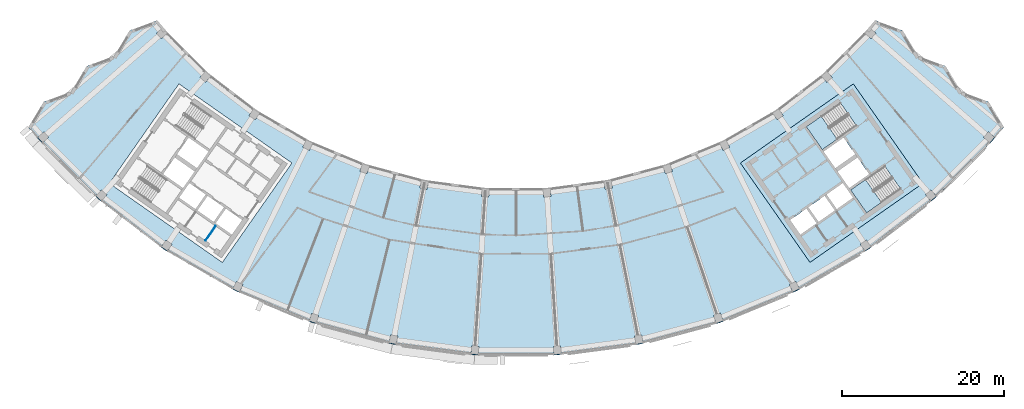
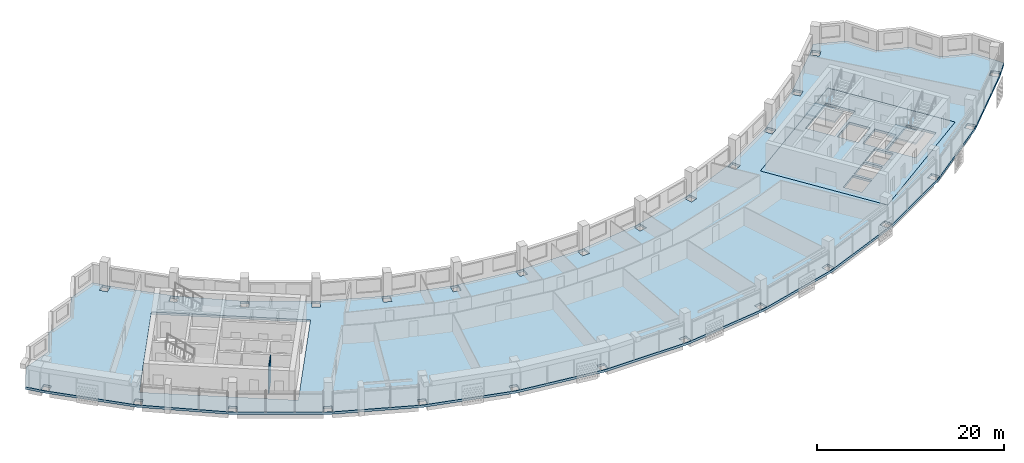
# One storey, part 2 of 28: 4 slabs, 1 wall, 2 elements without a shape of their own.
"""IFC4 building model written with IfcOpenShell, lengths in metres."""

from ifc_helpers import new_model, si_unit, direction, frame, frame_2d, origin, place, context, subcontext, project, spatial, polyline, rectangle, outline, extrude, material, layer, layer_set, type_object, element, aggregate, save


model = new_model("IFC4")

# Units and contexts
model_context = context("Model", 3, precision=1e-05, world=origin(), true_north=direction((0.0, 1.0)))
body_context = subcontext(model_context, "Body", "Model", "MODEL_VIEW")
ifc_project = project(units=[si_unit("LENGTHUNIT", "METRE"), si_unit("AREAUNIT", "SQUARE_METRE"), si_unit("VOLUMEUNIT", "CUBIC_METRE"), si_unit("PLANEANGLEUNIT", "RADIAN"), si_unit("MASSUNIT", "GRAM", prefix="KILO")], contexts=[model_context])

# Site, building, storey
site_placement = place(None, origin())
site = spatial("IfcSite", under=ifc_project, at=site_placement, CompositionType="ELEMENT")
building_placement = place(site_placement, origin())
building = spatial("IfcBuilding", under=site, at=building_placement, Name="Qamariyya Broadcast Tower", CompositionType="ELEMENT")
storey_placement = place(building_placement, frame((0.0, 0.0, 269.5)))
storey = spatial("IfcBuildingStorey", under=building, at=storey_placement, Name="L65", CompositionType="ELEMENT", Elevation=269.5)

# Slabs
ifc_material_1 = material(Name="Concrete C40/50", Category="concrete")
ifc_layer_1 = layer(ifc_material_1, 0.300048828125)
ifc_layer_set_1 = layer_set([ifc_layer_1], Name="Core floor slab 300 mm Concrete C40/50")
slab_type_1 = type_object("IfcSlabType", Name="Core floor slab 300 mm Concrete C40/50", PredefinedType="FLOOR", material=ifc_layer_set_1)
slab_1_placement = place(storey_placement, frame((0.0, 0.0, -0.300048828125)))
element("IfcSlab", 1, at=slab_1_placement, inside=storey, type_object=slab_type_1, Name="k-E-L65-slab", PredefinedType="FLOOR", context=body_context, shape_type="SweptSolid", body=[
    extrude(outline(polyline([(36.32373046875, -66.734375), (50.286376953125, -56.95751953125), (41.6826171875, -44.67041015625), (27.719970703125, -54.447021484375), (36.32373046875, -66.734375)]), holes=[polyline([(33.87353515625, -61.49169921875), (35.88037109375, -60.08642578125), (37.142333984375, -61.888427734375), (35.13525390625, -63.293701171875), (33.87353515625, -61.49169921875)]), polyline([(36.126220703125, -59.914306640625), (38.133056640625, -58.509033203125), (39.394775390625, -60.311279296875), (37.387939453125, -61.716552734375), (36.126220703125, -59.914306640625)]), polyline([(38.378662109375, -58.3369140625), (40.3857421875, -56.931640625), (41.6474609375, -58.73388671875), (39.640625, -60.13916015625), (38.378662109375, -58.3369140625)]), polyline([(39.742431640625, -55.489990234375), (42.199951171875, -53.769287109375), (43.6337890625, -55.817138671875), (41.17626953125, -57.537841796875), (39.742431640625, -55.489990234375)]), polyline([(39.45556640625, -55.080322265625), (41.9130859375, -53.359619140625), (40.47900390625, -51.311767578125), (38.021728515625, -53.032470703125), (39.45556640625, -55.080322265625)]), polyline([(40.082275390625, -47.01171875), (35.870849609375, -49.960693359375), (37.849609375, -52.78662109375), (42.06103515625, -49.837890625), (40.082275390625, -47.01171875)]), polyline([(45.559814453125, -54.834716796875), (41.348388671875, -57.783447265625), (43.3271484375, -60.609619140625), (47.538818359375, -57.66064453125), (45.559814453125, -54.834716796875)])]), origin(), (0.0, 0.0, 1.0), 0.300048828125),
])
ifc_layer_2 = layer(ifc_material_1, 0.300048828125)
ifc_layer_set_2 = layer_set([ifc_layer_2], Name="Post-tensioned floor slab 300 C40/50")
slab_type_2 = type_object("IfcSlabType", Name="Post-tensioned floor slab 300 C40/50", PredefinedType="FLOOR", material=ifc_layer_set_2)
slab_2_placement = place(storey_placement, frame((0.0, 0.0, -0.300048828125)))
element("IfcSlab", 2, at=slab_2_placement, inside=storey, type_object=slab_type_2, Name="Floor slab S4 L65", PredefinedType="FLOOR", context=body_context, shape_type="SweptSolid", body=[
    extrude(outline(polyline([(-58.410888671875, -46.884521484375), (-60.307861328125, -50.016845703125), (-58.90673828125, -51.65966796875), (-51.65966796875, -58.90673828125), (-43.52880859375, -65.145751953125), (-34.6533203125, -70.27001953125), (-25.184814453125, -74.19189453125), (-15.285400390625, -76.844482421875), (-5.124267578125, -78.18212890625), (5.124267578125, -78.18212890625), (15.285400390625, -76.844482421875), (25.184814453125, -74.19189453125), (34.6533203125, -70.27001953125), (43.52880859375, -65.145751953125), (51.65966796875, -58.90673828125), (58.90673828125, -51.65966796875), (60.307861328125, -50.016845703125), (58.410888671875, -46.884521484375), (54.996826171875, -45.612060546875), (53.09912109375, -42.479248046875), (49.685791015625, -41.207275390625), (47.787109375, -38.07373046875), (44.37451171875, -36.802490234375), (43.343505859375, -38.01123046875), (38.01123046875, -43.343505859375), (32.028564453125, -47.934326171875), (25.498046875, -51.704833984375), (18.531005859375, -54.590576171875), (11.2470703125, -56.542236328125), (3.7705078125, -57.526611328125), (-3.7705078125, -57.526611328125), (-11.2470703125, -56.542236328125), (-18.531005859375, -54.590576171875), (-25.498046875, -51.704833984375), (-32.028564453125, -47.934326171875), (-38.01123046875, -43.343505859375), (-43.343505859375, -38.01123046875), (-44.37451171875, -36.802490234375), (-47.787109375, -38.07373046875), (-49.685791015625, -41.207275390625), (-53.09912109375, -42.479248046875), (-54.996826171875, -45.612060546875), (-58.410888671875, -46.884521484375)]), holes=[polyline([(-4.668701171875, -78.11181640625), (-5.56689453125, -78.052978515625), (-5.50146484375, -77.05517578125), (-4.603271484375, -77.114013671875), (-4.668701171875, -78.11181640625)]), polyline([(-15.707275390625, -76.65869140625), (-15.511962890625, -75.677978515625), (-14.62939453125, -75.853515625), (-14.824462890625, -76.834228515625), (-15.707275390625, -76.65869140625)]), polyline([(-25.578857421875, -73.95263671875), (-25.25732421875, -73.005615234375), (-24.405029296875, -73.294921875), (-24.7265625, -74.241943359375), (-25.578857421875, -73.95263671875)]), polyline([(-35.0126953125, -69.981201171875), (-34.5703125, -69.08447265625), (-33.76318359375, -69.482421875), (-34.20556640625, -70.37939453125), (-35.0126953125, -69.981201171875)]), polyline([(-43.847412109375, -64.8125), (-43.2919921875, -63.98095703125), (-42.543701171875, -64.48095703125), (-43.09912109375, -65.3125), (-43.847412109375, -64.8125)]), polyline([(-51.93212890625, -58.53466796875), (-51.272705078125, -57.782958984375), (-50.59619140625, -58.376220703125), (-51.25537109375, -59.128173828125), (-51.93212890625, -58.53466796875)]), polyline([(-4.29150390625, -58.5947265625), (-4.22607421875, -57.596923828125), (-3.327880859375, -57.65576171875), (-3.393310546875, -58.653564453125), (-4.29150390625, -58.5947265625)]), polyline([(-11.90283203125, -57.533447265625), (-11.707763671875, -56.552490234375), (-10.8251953125, -56.72802734375), (-11.020263671875, -57.708984375), (-11.90283203125, -57.533447265625)]), polyline([(-50.286376953125, -56.95751953125), (-41.6826171875, -44.67041015625), (-27.719970703125, -54.447021484375), (-36.32373046875, -66.734375), (-50.286376953125, -56.95751953125)]), polyline([(-19.310791015625, -55.487548828125), (-18.9892578125, -54.54052734375), (-18.136962890625, -54.829833984375), (-18.45849609375, -55.77685546875), (-19.310791015625, -55.487548828125)]), polyline([(-26.387939453125, -52.4921875), (-25.94580078125, -51.595458984375), (-25.138671875, -51.993408203125), (-25.580810546875, -52.890380859375), (-26.387939453125, -52.4921875)]), polyline([(-59.128173828125, -51.25537109375), (-58.376220703125, -50.59619140625), (-57.782958984375, -51.272705078125), (-58.53466796875, -51.93212890625), (-59.128173828125, -51.25537109375)]), polyline([(-33.013916015625, -48.598876953125), (-32.458251953125, -47.767333984375), (-31.7099609375, -48.267333984375), (-32.265625, -49.098876953125), (-33.013916015625, -48.598876953125)]), polyline([(-39.074951171875, -43.873779296875), (-38.41552734375, -43.1220703125), (-37.739013671875, -43.71533203125), (-38.398193359375, -44.46728515625), (-39.074951171875, -43.873779296875)]), polyline([(-44.46728515625, -38.398193359375), (-43.71533203125, -37.739013671875), (-43.1220703125, -38.41552734375), (-43.873779296875, -39.074951171875), (-44.46728515625, -38.398193359375)]), polyline([(5.56689453125, -78.052978515625), (4.668701171875, -78.11181640625), (4.603271484375, -77.114013671875), (5.50146484375, -77.05517578125), (5.56689453125, -78.052978515625)]), polyline([(14.824462890625, -76.834228515625), (14.62939453125, -75.853515625), (15.511962890625, -75.677978515625), (15.707275390625, -76.65869140625), (14.824462890625, -76.834228515625)]), polyline([(24.7265625, -74.241943359375), (24.405029296875, -73.294921875), (25.25732421875, -73.005615234375), (25.578857421875, -73.95263671875), (24.7265625, -74.241943359375)]), polyline([(34.20556640625, -70.37939453125), (33.76318359375, -69.482421875), (34.5703125, -69.08447265625), (35.0126953125, -69.981201171875), (34.20556640625, -70.37939453125)]), polyline([(43.09912109375, -65.3125), (42.543701171875, -64.48095703125), (43.2919921875, -63.98095703125), (43.847412109375, -64.8125), (43.09912109375, -65.3125)]), polyline([(51.25537109375, -59.128173828125), (50.59619140625, -58.376220703125), (51.272705078125, -57.782958984375), (51.93212890625, -58.53466796875), (51.25537109375, -59.128173828125)]), polyline([(3.393310546875, -58.653564453125), (3.327880859375, -57.65576171875), (4.22607421875, -57.596923828125), (4.29150390625, -58.5947265625), (3.393310546875, -58.653564453125)]), polyline([(11.020263671875, -57.708984375), (10.8251953125, -56.72802734375), (11.707763671875, -56.552490234375), (11.90283203125, -57.533447265625), (11.020263671875, -57.708984375)]), polyline([(36.32373046875, -66.734375), (27.719970703125, -54.447021484375), (41.6826171875, -44.67041015625), (50.286376953125, -56.95751953125), (36.32373046875, -66.734375)]), polyline([(18.45849609375, -55.77685546875), (18.136962890625, -54.829833984375), (18.9892578125, -54.54052734375), (19.310791015625, -55.487548828125), (18.45849609375, -55.77685546875)]), polyline([(25.580810546875, -52.890380859375), (25.138671875, -51.993408203125), (25.94580078125, -51.595458984375), (26.387939453125, -52.4921875), (25.580810546875, -52.890380859375)]), polyline([(58.53466796875, -51.93212890625), (57.782958984375, -51.272705078125), (58.376220703125, -50.59619140625), (59.128173828125, -51.25537109375), (58.53466796875, -51.93212890625)]), polyline([(32.265625, -49.098876953125), (31.7099609375, -48.267333984375), (32.458251953125, -47.767333984375), (33.013916015625, -48.598876953125), (32.265625, -49.098876953125)]), polyline([(38.398193359375, -44.46728515625), (37.739013671875, -43.71533203125), (38.41552734375, -43.1220703125), (39.074951171875, -43.873779296875), (38.398193359375, -44.46728515625)]), polyline([(43.873779296875, -39.074951171875), (43.1220703125, -38.41552734375), (43.71533203125, -37.739013671875), (44.46728515625, -38.398193359375), (43.873779296875, -39.074951171875)])]), origin(), (0.0, 0.0, 1.0), 0.300048828125),
])

# Stair, slab
ifc_material_2 = material(Name="Concrete C50/60", Category="concrete")
stair_type = type_object("IfcStairType", Name="Exit stair 22 risers of 173 mm", PredefinedType="HALF_TURN_STAIR", material=ifc_material_2)
stair_1_placement = place(storey_placement, origin())
stair_1 = element("IfcStair", 3, at=stair_1_placement, inside=storey, type_object=stair_type, Name="L65 Stair E2", PredefinedType="HALF_TURN_STAIR")
ifc_layer_3 = layer(ifc_material_2, 0.199951171875)
ifc_layer_set_3 = layer_set([ifc_layer_3], Name="Stair landing")
slab_type_3 = type_object("IfcSlabType", Name="Stair landing", PredefinedType="LANDING", material=ifc_layer_set_3)
slab_3_placement = place(storey_placement, frame((0.0, 0.0, 1.699951171875)))
slab_3 = element("IfcSlab", 4, at=slab_3_placement, type_object=slab_type_3, Name="ST-E2 landing 1", PredefinedType="LANDING", context=body_context, shape_type="SweptSolid", body=[
    extrude(outline(polyline([(37.71337890625, -48.67041015625), (35.870849609375, -49.960693359375), (37.849609375, -52.78662109375), (39.692138671875, -51.49658203125), (37.71337890625, -48.67041015625)])), origin(), (0.0, 0.0, 1.0), 0.199951171875),
])
aggregate(stair_1, [slab_3])

stair_2_placement = place(storey_placement, origin())
stair_2 = element("IfcStair", 5, at=stair_2_placement, inside=storey, type_object=stair_type, Name="L65 Stair E1", PredefinedType="HALF_TURN_STAIR")
slab_4_placement = place(storey_placement, frame((0.0, 0.0, 1.699951171875)))
slab_4 = element("IfcSlab", 6, at=slab_4_placement, type_object=slab_type_3, Name="ST-E1 landing 1", PredefinedType="LANDING", context=body_context, shape_type="SweptSolid", body=[
    extrude(outline(polyline([(43.19091796875, -56.493408203125), (41.348388671875, -57.783447265625), (43.3271484375, -60.609619140625), (45.169677734375, -59.319580078125), (43.19091796875, -56.493408203125)])), origin(), (0.0, 0.0, 1.0), 0.199951171875),
])
aggregate(stair_2, [slab_4])

# Wall
ifc_material_3 = material(Name="Fire-rated gypsum shaft liner on steel studs", Category="steel")
ifc_layer_4 = layer(ifc_material_3, 0.10009765625)
ifc_layer_set_4 = layer_set([ifc_layer_4], Name="Riser wall 100 mm")
wall_type = type_object("IfcWallType", Name="Riser wall 100 mm", PredefinedType="PLUMBINGWALL", material=ifc_layer_set_4)
wall_placement = place(storey_placement, frame((-37.150390625, -62.2490234375, 0.0), z_axis=(0.0, 0.0, 1.0), x_axis=(-0.573633636671, -0.819111989218, 0.0)))
element("IfcWall", 7, at=wall_placement, inside=storey, type_object=wall_type, Name="k-W-L65-SP225", PredefinedType="PLUMBINGWALL", context=body_context, shape_type="SweptSolid", body=[
    extrude(rectangle(XDim=2.199951171875, YDim=0.10009765625, at=frame_2d((1.10009765625, 0.0))), origin(), (0.0, 0.0, 1.0), 3.5),
])

save(model, "model.ifc")
